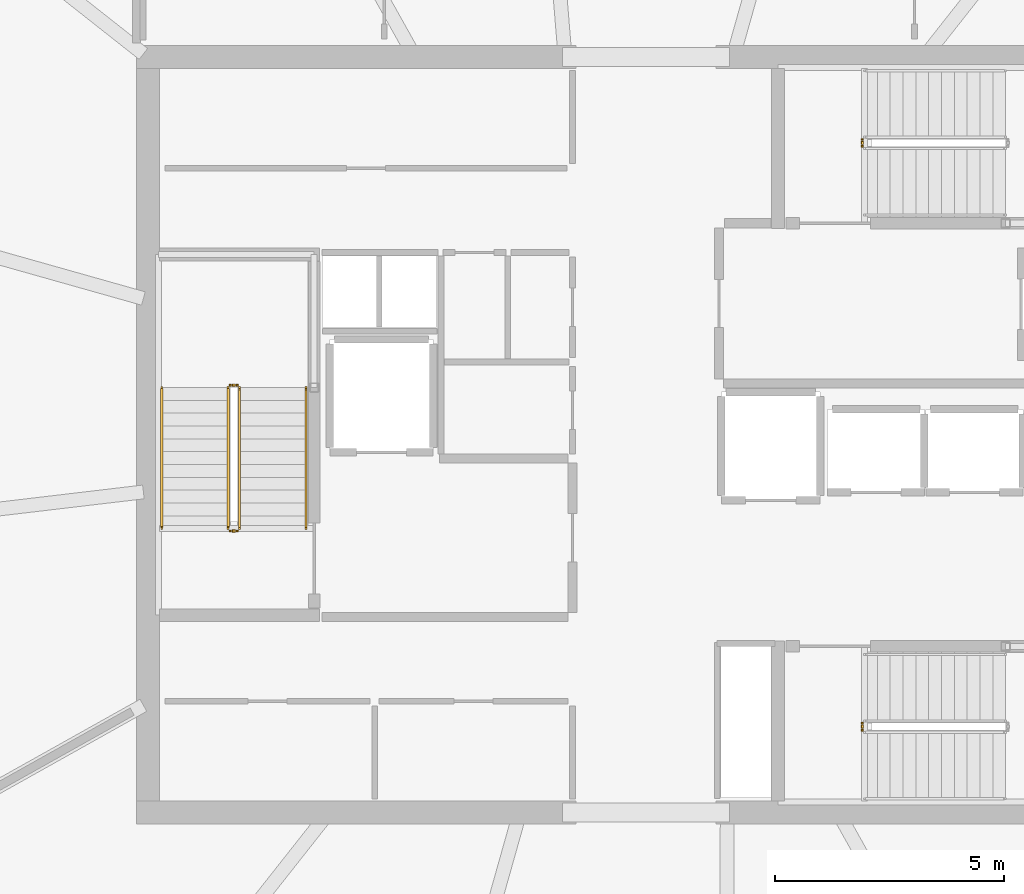
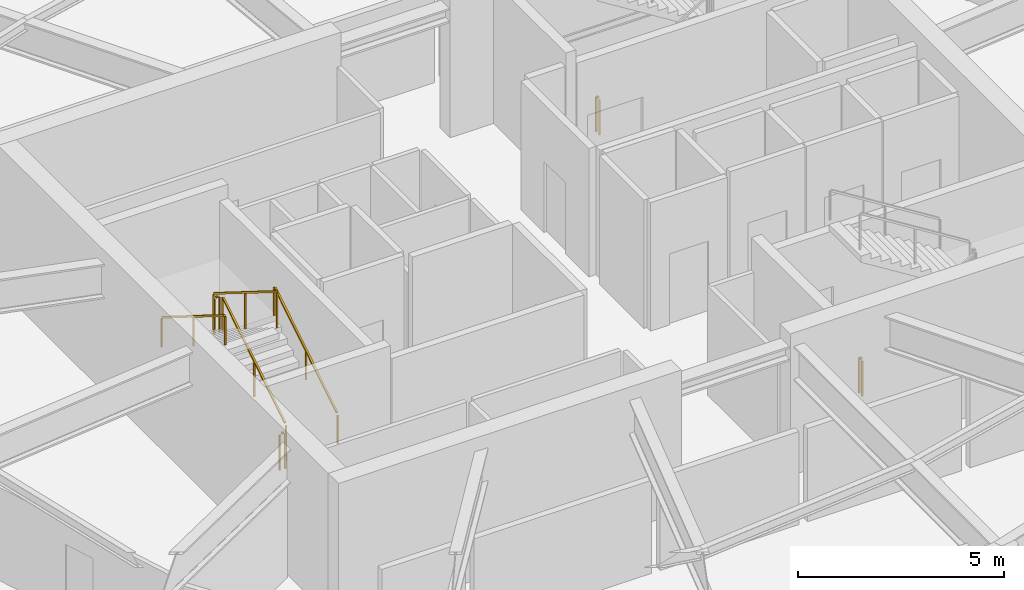
# One storey, part 16 of 19: 8 railings.
"""IFC4 building model written with IfcOpenShell, lengths in metres."""

from ifc_helpers import new_model, si_unit, direction, frame, origin, origin_2d, place, context, subcontext, project, spatial, rectangle, extrude, material, type_object, element, save


model = new_model("IFC4")

# Units and contexts
model_context = context("Model", 3, precision=1e-05, world=origin(), true_north=direction((0.0, 1.0)))
body_context = subcontext(model_context, "Body", "Model", "MODEL_VIEW")
ifc_project = project(units=[si_unit("LENGTHUNIT", "METRE"), si_unit("AREAUNIT", "SQUARE_METRE"), si_unit("VOLUMEUNIT", "CUBIC_METRE"), si_unit("PLANEANGLEUNIT", "RADIAN"), si_unit("MASSUNIT", "GRAM", prefix="KILO")], contexts=[model_context])

# Site, building, storey
site_placement = place(None, origin())
site = spatial("IfcSite", under=ifc_project, at=site_placement, CompositionType="ELEMENT")
building_placement = place(site_placement, origin())
building = spatial("IfcBuilding", under=site, at=building_placement, Name="Kazma Halo Residences", CompositionType="ELEMENT")
storey_placement = place(building_placement, frame((0.0, 0.0, 347.300048828125)))
storey = spatial("IfcBuildingStorey", under=building, at=storey_placement, Name="L87", CompositionType="ELEMENT", Elevation=347.300048828125)

# Railings
ifc_material_1 = material(Name="Painted Steel S355", Category="steel")
railing_type_1 = type_object("IfcRailingType", Name="RLG-STAIR-GRD-1100", PredefinedType="GUARDRAIL", material=ifc_material_1)
railing_1_placement = place(storey_placement, frame((39.550048828125, 39.949951171875, 0.175048828125)))
element("IfcRailing", 1, at=railing_1_placement, inside=storey, type_object=railing_type_1, Name="L87 ST-01 stair guard 1", PredefinedType="GUARDRAIL", context=body_context, shape_type="SweptSolid", body=[
    extrude(rectangle(XDim=0.050048828125, YDim=0.050048828125, at=origin_2d()), frame((0.0, 0.0361328125, 1.09765625), z_axis=(0.0, 0.848028513186, 0.529950602248), x_axis=(-1.0, 0.0, 0.0)), (0.0, 0.0, 1.0), 3.546875),
    extrude(rectangle(XDim=0.0400390625, YDim=0.0400390625, at=origin_2d()), origin(), (0.0, 0.0, 1.0), 1.0380859375),
    extrude(rectangle(XDim=0.0400390625, YDim=0.0400390625, at=origin_2d()), frame((0.0, 1.5400390625, 0.96240234375)), (0.0, 0.0, 1.0), 1.0380859375),
    extrude(rectangle(XDim=0.0400390625, YDim=0.0400390625, at=origin_2d()), frame((0.0, 3.080078125, 1.9248046875)), (0.0, 0.0, 1.0), 1.0380859375),
])
railing_2_placement = place(storey_placement, frame((39.5, 43.080078125, 2.099853515625)))
element("IfcRailing", 2, at=railing_2_placement, inside=storey, type_object=railing_type_1, Name="L87 ST-01 stair guard 2", PredefinedType="GUARDRAIL", context=body_context, shape_type="SweptSolid", body=[
    extrude(rectangle(XDim=0.050048828125, YDim=0.050048828125, at=origin_2d()), frame((-0.04248046875, 0.0, 1.0751953125), z_axis=(-1.0, 0.0, 0.0), x_axis=(0.0, -1.0, 0.0)), (0.0, 0.0, 1.0), 0.06494140625),
    extrude(rectangle(XDim=0.0400390625, YDim=0.0400390625, at=origin_2d()), origin(), (0.0, 0.0, 1.0), 1.0380859375),
    extrude(rectangle(XDim=0.0400390625, YDim=0.0400390625, at=origin_2d()), frame((-0.14990234375, 0.0, 0.0)), (0.0, 0.0, 1.0), 1.0380859375),
])
railing_3_placement = place(storey_placement, frame((39.300048828125, 43.030029296875, 2.27490234375)))
element("IfcRailing", 3, at=railing_3_placement, inside=storey, type_object=railing_type_1, Name="L87 ST-01 stair guard 3", PredefinedType="GUARDRAIL", context=body_context, shape_type="SweptSolid", body=[
    extrude(rectangle(XDim=0.050048828125, YDim=0.050048828125, at=origin_2d()), frame((0.0, -0.0361328125, 1.09765625), z_axis=(0.0, -0.847998304005, 0.529998940003), x_axis=(1.0, 0.0, 0.0)), (0.0, 0.0, 1.0), 3.547119140625),
    extrude(rectangle(XDim=0.0400390625, YDim=0.0400390625, at=origin_2d()), origin(), (0.0, 0.0, 1.0), 1.0380859375),
    extrude(rectangle(XDim=0.0400390625, YDim=0.0400390625, at=origin_2d()), frame((0.0, -1.5400390625, 0.96240234375)), (0.0, 0.0, 1.0), 1.0380859375),
    extrude(rectangle(XDim=0.0400390625, YDim=0.0400390625, at=origin_2d()), frame((0.0, -3.080078125, 1.925048828125)), (0.0, 0.0, 1.0), 1.0380859375),
])
railing_4_placement = place(storey_placement, frame((39.5, 39.89990234375, 0.0)))
element("IfcRailing", 4, at=railing_4_placement, inside=storey, type_object=railing_type_1, Name="L87 ST-01 stair guard 4", PredefinedType="GUARDRAIL", context=body_context, shape_type="SweptSolid", body=[
    extrude(rectangle(XDim=0.050048828125, YDim=0.050048828125, at=origin_2d()), frame((-0.04248046875, 0.0, 1.0751953125), z_axis=(-1.0, 0.0, 0.0), x_axis=(0.0, -1.0, 0.0)), (0.0, 0.0, 1.0), 0.06494140625),
    extrude(rectangle(XDim=0.0400390625, YDim=0.0400390625, at=origin_2d()), origin(), (0.0, 0.0, 1.0), 1.0380859375),
    extrude(rectangle(XDim=0.0400390625, YDim=0.0400390625, at=origin_2d()), frame((-0.14990234375, 0.0, 0.0)), (0.0, 0.0, 1.0), 1.0380859375),
])
for number, where, name in (
    (5, (53.14990234375, 48.300048828125, 0.0), "L87 ST-02 stair guard 4"),
    (6, (53.14990234375, 35.550048828125, 0.0), "L87 ST-03 stair guard 4"),
):
    element("IfcRailing", number, at=place(storey_placement, frame(where)), inside=storey, type_object=railing_type_1, Name=name, PredefinedType="GUARDRAIL", context=body_context, shape_type="SweptSolid", body=[
        extrude(rectangle(XDim=0.050048828125, YDim=0.050048828125, at=origin_2d()), frame((0.0, 0.04248046875, 1.0751953125), z_axis=(0.0, 1.0, 0.0), x_axis=(-1.0, 0.0, 0.0)), (0.0, 0.0, 1.0), 0.06494140625),
        extrude(rectangle(XDim=0.0400390625, YDim=0.0400390625, at=origin_2d()), origin(), (0.0, 0.0, 1.0), 1.0380859375),
        extrude(rectangle(XDim=0.0400390625, YDim=0.0400390625, at=origin_2d()), frame((0.0, 0.14990234375, 0.0)), (0.0, 0.0, 1.0), 1.0380859375),
    ])
ifc_material_2 = material(Name="Brushed Stainless Steel", Category="steel")
railing_type_2 = type_object("IfcRailingType", Name="RLG-STAIR-HND-900", PredefinedType="HANDRAIL", material=ifc_material_2)
railing_5_placement = place(storey_placement, frame((41.0, 39.949951171875, 0.175048828125)))
element("IfcRailing", 7, at=railing_5_placement, inside=storey, type_object=railing_type_2, Name="L87 ST-01 stair handrail 1", PredefinedType="HANDRAIL", context=body_context, shape_type="SweptSolid", body=[
    extrude(rectangle(XDim=0.050048828125, YDim=0.050048828125, at=origin_2d()), frame((0.0, 0.0361328125, 0.8974609375), z_axis=(0.0, 0.848028513186, 0.529950602248), x_axis=(-1.0, 0.0, 0.0)), (0.0, 0.0, 1.0), 3.546875),
    extrude(rectangle(XDim=0.0400390625, YDim=0.0400390625, at=origin_2d()), origin(), (0.0, 0.0, 1.0), 0.837890625),
    extrude(rectangle(XDim=0.0400390625, YDim=0.0400390625, at=origin_2d()), frame((0.0, 1.5400390625, 0.96240234375)), (0.0, 0.0, 1.0), 0.837890625),
    extrude(rectangle(XDim=0.0400390625, YDim=0.0400390625, at=origin_2d()), frame((0.0, 3.080078125, 1.9248046875)), (0.0, 0.0, 1.0), 0.837890625),
])
railing_6_placement = place(storey_placement, frame((37.85009765625, 43.030029296875, 2.27490234375)))
element("IfcRailing", 8, at=railing_6_placement, inside=storey, type_object=railing_type_2, Name="L87 ST-01 stair handrail 2", PredefinedType="HANDRAIL", context=body_context, shape_type="SweptSolid", body=[
    extrude(rectangle(XDim=0.050048828125, YDim=0.050048828125, at=origin_2d()), frame((0.0, -0.0361328125, 0.8974609375), z_axis=(0.0, -0.847998304005, 0.529998940003), x_axis=(1.0, 0.0, 0.0)), (0.0, 0.0, 1.0), 3.547119140625),
    extrude(rectangle(XDim=0.0400390625, YDim=0.0400390625, at=origin_2d()), origin(), (0.0, 0.0, 1.0), 0.837890625),
    extrude(rectangle(XDim=0.0400390625, YDim=0.0400390625, at=origin_2d()), frame((0.0, -1.5400390625, 0.96240234375)), (0.0, 0.0, 1.0), 0.837890625),
    extrude(rectangle(XDim=0.0400390625, YDim=0.0400390625, at=origin_2d()), frame((0.0, -3.080078125, 1.925048828125)), (0.0, 0.0, 1.0), 0.837890625),
])

save(model, "model.ifc")
